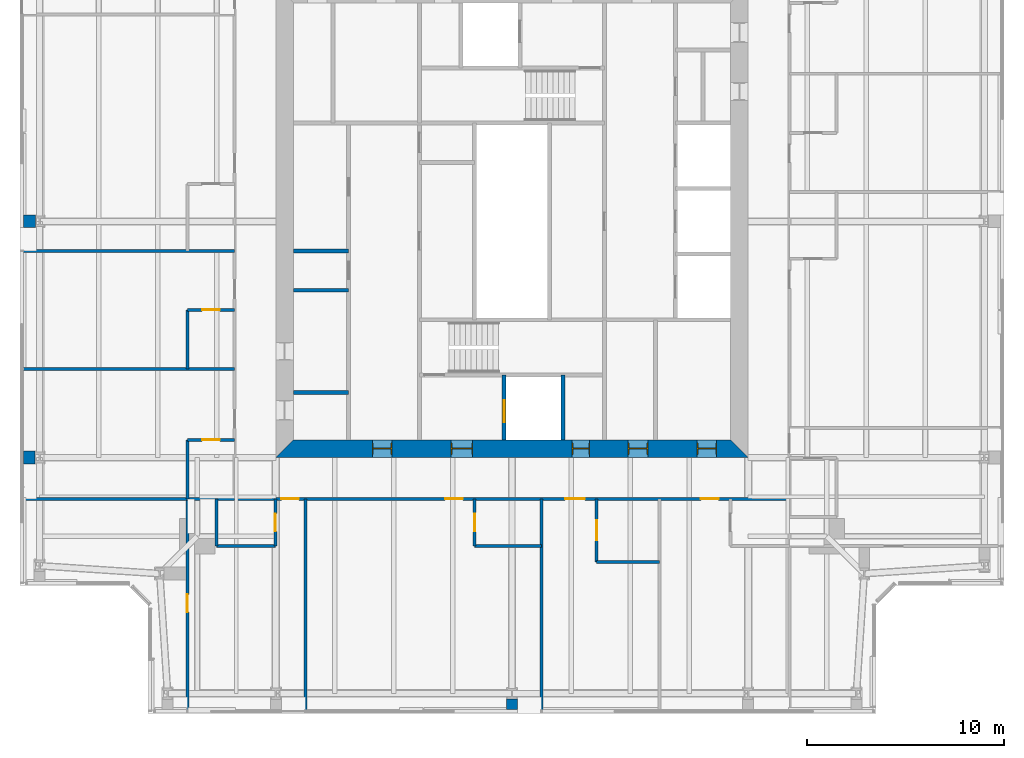
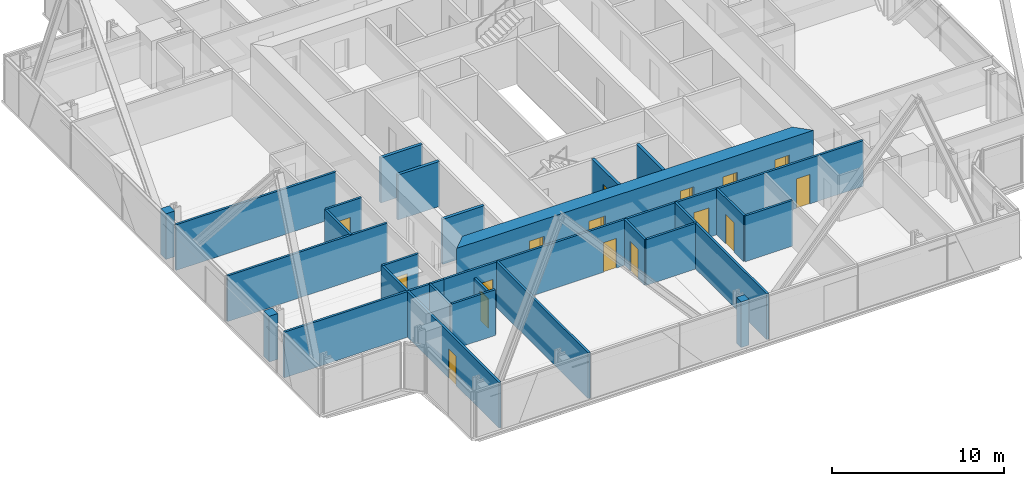
# One storey, part 11 of 20: 27 walls, 16 doors, 16 openings.
"""IFC4 building model written with IfcOpenShell, lengths in metres."""

from ifc_helpers import new_model, si_unit, direction, frame, frame_2d, origin, place, context, subcontext, project, spatial, polyline, rectangle, outline, extrude, material, layer, layer_set, type_object, element, fill, save


model = new_model("IFC4")

# Units and contexts
model_context = context("Model", 3, precision=1e-05, world=origin(), true_north=direction((0.0, 1.0)))
body_context = subcontext(model_context, "Body", "Model", "MODEL_VIEW")
ifc_project = project(units=[si_unit("LENGTHUNIT", "METRE"), si_unit("AREAUNIT", "SQUARE_METRE"), si_unit("VOLUMEUNIT", "CUBIC_METRE"), si_unit("PLANEANGLEUNIT", "RADIAN"), si_unit("MASSUNIT", "GRAM", prefix="KILO")], contexts=[model_context])

# Site, building, storey
site_placement = place(None, origin())
site = spatial("IfcSite", under=ifc_project, at=site_placement, CompositionType="ELEMENT")
building_placement = place(site_placement, origin())
building = spatial("IfcBuilding", under=site, at=building_placement, Name="Fenwick Lantern Interchange", CompositionType="ELEMENT")
storey_placement = place(building_placement, frame((0.0, 0.0, 256.0)))
storey = spatial("IfcBuildingStorey", under=building, at=storey_placement, Name="L60", CompositionType="ELEMENT", Elevation=256.0)

# Walls
ifc_material_1 = material(Name="Fire-rated gypsum board encasement on steel studs, 2 hour", Category="steel")
ifc_layer_1 = layer(ifc_material_1, 0.5419921875)
ifc_layer_set_1 = layer_set([ifc_layer_1], Name="COLUMN PIER 542")
wall_type_1 = type_object("IfcWallType", Name="COLUMN PIER 542", PredefinedType="PARTITIONING", material=ifc_layer_set_1)
wall_1_placement = place(storey_placement, frame((25.0, 0.18994140625, 0.0), z_axis=(0.0, 0.0, 1.0), x_axis=(0.0, 1.0, 0.0)))
element("IfcWall", 1, at=wall_1_placement, inside=storey, type_object=wall_type_1, Name="L60/W/PIER/CS3", PredefinedType="PARTITIONING", context=body_context, shape_type="SweptSolid", body=[
    extrude(rectangle(XDim=0.544677734375, YDim=0.5419921875, at=frame_2d((0.2724609375, 0.0))), origin(), (0.0, 0.0, 1.0), 3.25),
])
ifc_layer_2 = layer(ifc_material_1, 0.631103515625)
ifc_layer_set_2 = layer_set([ifc_layer_2], Name="COLUMN PIER 631")
wall_type_2 = type_object("IfcWallType", Name="COLUMN PIER 631", PredefinedType="PARTITIONING", material=ifc_layer_set_2)
wall_2_placement = place(storey_placement, frame((0.18994140625, 25.0, 0.0), z_axis=(0.0, 0.0, 1.0), x_axis=(1.0, 0.0, 0.0)))
element("IfcWall", 2, at=wall_2_placement, inside=storey, type_object=wall_type_2, Name="L60/W/PIER/CW3", PredefinedType="PARTITIONING", context=body_context, shape_type="SweptSolid", body=[
    extrude(rectangle(XDim=0.589111328125, YDim=0.631103515625, at=frame_2d((0.29443359375, 0.0))), origin(), (0.0, 0.0, 1.0), 3.25),
])
ifc_layer_3 = layer(ifc_material_1, 0.6689453125)
ifc_layer_set_3 = layer_set([ifc_layer_3], Name="COLUMN PIER 669")
wall_type_3 = type_object("IfcWallType", Name="COLUMN PIER 669", PredefinedType="PARTITIONING", material=ifc_layer_set_3)
wall_3_placement = place(storey_placement, frame((0.18994140625, 13.0, 0.0), z_axis=(0.0, 0.0, 1.0), x_axis=(1.0, 0.0, 0.0)))
element("IfcWall", 3, at=wall_3_placement, inside=storey, type_object=wall_type_3, Name="L60/W/PIER/CW4", PredefinedType="PARTITIONING", context=body_context, shape_type="SweptSolid", body=[
    extrude(rectangle(XDim=0.582763671875, YDim=0.6689453125, at=frame_2d((0.29150390625, 0.0))), origin(), (0.0, 0.0, 1.0), 3.25),
])

# Wall, opening, door
ifc_material_2 = material(Name="Concrete masonry ASTM C90 Grade N", Category="masonry")
ifc_layer_4 = layer(ifc_material_2, 0.199951171875)
ifc_layer_set_4 = layer_set([ifc_layer_4], Name="Concrete masonry ASTM C90 Grade N")
wall_type_4 = type_object("IfcWallType", Name="CORE PARTITION 200", PredefinedType="PARTITIONING", material=ifc_layer_set_4)
wall_4_placement = place(storey_placement, frame((24.60009765625, 13.89990234375, 0.0), z_axis=(0.0, 0.0, 1.0), x_axis=(0.0, 1.0, 0.0)))
wall_4 = element("IfcWall", 4, at=wall_4_placement, inside=storey, type_object=wall_type_4, Name="L60/W/CORES/h1", PredefinedType="PARTITIONING", context=body_context, shape_type="SweptSolid", body=[
    extrude(rectangle(XDim=3.300048828125, YDim=0.199951171875, at=frame_2d((1.64990234375, 0.0))), origin(), (0.0, 0.0, 1.0), 3.199951171875),
])
opening_1_placement = place(wall_4_placement, frame((0.89990234375, 0.0, 0.0)))
opening_1 = element("IfcOpeningElement", 5, at=opening_1_placement, cuts=wall_4, Name="Opening LD-FL1", PredefinedType="OPENING", context=body_context, shape_type="SweptSolid", body=[
    extrude(rectangle(XDim=1.10009765625, YDim=2.199951171875, at=frame_2d((0.550048828125, 1.10009765625))), frame((0.0, 0.10986328125, 0.0), z_axis=(0.0, -1.0, 0.0), x_axis=(1.0, 0.0, 0.0)), (0.0, 0.0, 1.0), 0.219970703125),
])
ifc_material_3 = material(Name="Steel door and frame", Category="steel")
door_type_1 = type_object("IfcDoorType", Name="LIFT LANDING DOOR 1100 X 2200", OperationType="DOUBLE_DOOR_SLIDING", PredefinedType="DOOR", material=ifc_material_3)
door_1_placement = place(opening_1_placement, origin())
door_1 = element("IfcDoor", 6, at=door_1_placement, inside=storey, type_object=door_type_1, Name="Lift landing door FL1", OperationType="DOUBLE_DOOR_SLIDING", OverallHeight=2.199951171875, OverallWidth=1.10009765625, PredefinedType="DOOR", context=body_context, shape_type="SweptSolid", body=[
    extrude(rectangle(XDim=1.10009765625, YDim=2.199951171875, at=frame_2d((0.550048828125, 1.10009765625))), frame((0.0, 0.02490234375, 0.0), z_axis=(0.0, -1.0, 0.0), x_axis=(1.0, 0.0, 0.0)), (0.0, 0.0, 1.0), 0.050048828125),
])
fill(opening_1, door_1)

# Walls
wall_5_placement = place(storey_placement, frame((27.60009765625, 13.89990234375, 0.0), z_axis=(0.0, 0.0, 1.0), x_axis=(0.0, 1.0, 0.0)))
element("IfcWall", 7, at=wall_5_placement, inside=storey, type_object=wall_type_4, Name="L60/W/CORES/h2", PredefinedType="PARTITIONING", context=body_context, shape_type="SweptSolid", body=[
    extrude(rectangle(XDim=3.300048828125, YDim=0.199951171875, at=frame_2d((1.64990234375, 0.0))), origin(), (0.0, 0.0, 1.0), 3.199951171875),
])
for number, where, z_axis, x_axis, name in (
    (8, (13.89990234375, 16.300048828125, 0.0), (0.0, 0.0, 1.0), (1.0, 0.0, 0.0), "L60/W/CORES/p1"),
    (9, (13.89990234375, 21.5, 0.0), (0.0, 0.0, 1.0), (1.0, 0.0, 0.0), "L60/W/CORES/p2"),
    (10, (13.89990234375, 23.5, 0.0), (0.0, 0.0, 1.0), (1.0, 0.0, 0.0), "L60/W/CORES/p3"),
):
    element("IfcWall", number, at=place(storey_placement, frame(where, z_axis=z_axis, x_axis=x_axis)), inside=storey, type_object=wall_type_4, Name=name, PredefinedType="PARTITIONING", context=body_context, shape_type="SweptSolid", body=[
        extrude(rectangle(XDim=2.800048828125, YDim=0.199951171875, at=frame_2d((1.39990234375, 0.0))), origin(), (0.0, 0.0, 1.0), 3.199951171875),
    ])

# Wall, openings, doors
ifc_material_4 = material(Name="Concrete f'c 70 MPa", Category="concrete")
ifc_layer_5 = layer(ifc_material_4, 0.89990234375)
ifc_layer_set_5 = layer_set([ifc_layer_5], Name="CORE WALL 900")
wall_type_5 = type_object("IfcWallType", Name="CORE WALL 900", PredefinedType="SHEAR", material=ifc_layer_set_5)
wall_6_placement = place(storey_placement, frame((13.0, 13.449951171875, 0.0), z_axis=(0.0, 0.0, 1.0), x_axis=(1.0, 0.0, 0.0)))
wall_6 = element("IfcWall", 11, at=wall_6_placement, inside=storey, type_object=wall_type_5, Name="L60/CORE/S", PredefinedType="SHEAR", context=body_context, shape_type="SweptSolid", body=[
    extrude(outline(polyline([(0.0, -0.449951171875), (24.0, -0.449951171875), (23.10009765625, 0.449951171875), (0.89990234375, 0.449951171875), (0.0, -0.449951171875)])), origin(), (0.0, 0.0, 1.0), 3.39990234375),
])
opening_2_placement = place(wall_6_placement, frame((4.89990234375, 0.0, 0.0)))
opening_2 = element("IfcOpeningElement", 12, at=opening_2_placement, cuts=wall_6, Name="Opening L60-D001", PredefinedType="OPENING", context=body_context, shape_type="SweptSolid", body=[
    extrude(rectangle(XDim=1.0, YDim=2.199951171875, at=frame_2d((0.5, 1.10009765625))), frame((0.0, 0.4599609375, 0.0), z_axis=(0.0, -1.0, 0.0), x_axis=(1.0, 0.0, 0.0)), (0.0, 0.0, 1.0), 0.919921875),
])
opening_3_placement = place(wall_6_placement, frame((8.89990234375, 0.0, 0.0)))
opening_3 = element("IfcOpeningElement", 13, at=opening_3_placement, cuts=wall_6, Name="Opening L60-D002", PredefinedType="OPENING", context=body_context, shape_type="SweptSolid", body=[
    extrude(rectangle(XDim=1.10009765625, YDim=2.199951171875, at=frame_2d((0.550048828125, 1.10009765625))), frame((0.0, 0.4599609375, 0.0), z_axis=(0.0, -1.0, 0.0), x_axis=(1.0, 0.0, 0.0)), (0.0, 0.0, 1.0), 0.919921875),
])
opening_4_placement = place(wall_6_placement, frame((15.050048828125, 0.0, 0.0)))
opening_4 = element("IfcOpeningElement", 14, at=opening_4_placement, cuts=wall_6, Name="Opening L60-D004", PredefinedType="OPENING", context=body_context, shape_type="SweptSolid", body=[
    extrude(rectangle(XDim=0.89990234375, YDim=2.199951171875, at=frame_2d((0.449951171875, 1.10009765625))), frame((0.0, 0.4599609375, 0.0), z_axis=(0.0, -1.0, 0.0), x_axis=(1.0, 0.0, 0.0)), (0.0, 0.0, 1.0), 0.919921875),
])
opening_5_placement = place(wall_6_placement, frame((17.89990234375, 0.0, 0.0)))
opening_5 = element("IfcOpeningElement", 15, at=opening_5_placement, cuts=wall_6, Name="Opening L60-D005", PredefinedType="OPENING", context=body_context, shape_type="SweptSolid", body=[
    extrude(rectangle(XDim=1.0, YDim=2.199951171875, at=frame_2d((0.5, 1.10009765625))), frame((0.0, 0.4599609375, 0.0), z_axis=(0.0, -1.0, 0.0), x_axis=(1.0, 0.0, 0.0)), (0.0, 0.0, 1.0), 0.919921875),
])
opening_6_placement = place(wall_6_placement, frame((21.39990234375, 0.0, 0.0)))
opening_6 = element("IfcOpeningElement", 16, at=opening_6_placement, cuts=wall_6, Name="Opening L60-D006", PredefinedType="OPENING", context=body_context, shape_type="SweptSolid", body=[
    extrude(rectangle(XDim=1.0, YDim=2.199951171875, at=frame_2d((0.5, 1.10009765625))), frame((0.0, 0.4599609375, 0.0), z_axis=(0.0, -1.0, 0.0), x_axis=(1.0, 0.0, 0.0)), (0.0, 0.0, 1.0), 0.919921875),
])
door_type_2 = type_object("IfcDoorType", Name="CORE LOBBY DOOR 1000 X 2200", OperationType="SINGLE_SWING_LEFT", PredefinedType="DOOR", material=ifc_material_3)
door_2_placement = place(opening_2_placement, origin())
door_2 = element("IfcDoor", 17, at=door_2_placement, inside=storey, type_object=door_type_2, Name="Core lobby door", OperationType="SINGLE_SWING_LEFT", OverallHeight=2.199951171875, OverallWidth=1.0, PredefinedType="DOOR", context=body_context, shape_type="SweptSolid", body=[
    extrude(rectangle(XDim=1.0, YDim=2.199951171875, at=frame_2d((0.5, 1.10009765625))), frame((0.0, 0.02490234375, 0.0), z_axis=(0.0, -1.0, 0.0), x_axis=(1.0, 0.0, 0.0)), (0.0, 0.0, 1.0), 0.050048828125),
    extrude(outline(polyline([(0.0, 0.0), (0.0400390625, 0.0), (0.0400390625, 2.159912109375), (0.9599609375, 2.159912109375), (0.9599609375, 0.0), (1.0, 0.0), (1.0, 2.199951171875), (0.0, 2.199951171875), (0.0, 0.0)])), frame((0.0, 0.300048828125, 0.0), z_axis=(0.0, -1.0, 0.0), x_axis=(1.0, 0.0, 0.0)), (0.0, 0.0, 1.0), 0.60009765625),
])
fill(opening_2, door_2)
door_type_3 = type_object("IfcDoorType", Name="FIRE LOBBY DOOR 1100 X 2200", OperationType="SINGLE_SWING_LEFT", PredefinedType="DOOR", material=ifc_material_3)
door_3_placement = place(opening_3_placement, origin())
door_3 = element("IfcDoor", 18, at=door_3_placement, inside=storey, type_object=door_type_3, Name="Fire lobby door", OperationType="SINGLE_SWING_LEFT", OverallHeight=2.199951171875, OverallWidth=1.10009765625, PredefinedType="DOOR", context=body_context, shape_type="SweptSolid", body=[
    extrude(rectangle(XDim=1.10009765625, YDim=2.199951171875, at=frame_2d((0.550048828125, 1.10009765625))), frame((0.0, 0.02490234375, 0.0), z_axis=(0.0, -1.0, 0.0), x_axis=(1.0, 0.0, 0.0)), (0.0, 0.0, 1.0), 0.050048828125),
    extrude(outline(polyline([(0.0, 0.0), (0.0400390625, 0.0), (0.0400390625, 2.159912109375), (1.06005859375, 2.159912109375), (1.06005859375, 0.0), (1.10009765625, 0.0), (1.10009765625, 2.199951171875), (0.0, 2.199951171875), (0.0, 0.0)])), frame((0.0, 0.300048828125, 0.0), z_axis=(0.0, -1.0, 0.0), x_axis=(1.0, 0.0, 0.0)), (0.0, 0.0, 1.0), 0.60009765625),
])
fill(opening_3, door_3)
door_type_4 = type_object("IfcDoorType", Name="SERVICE DOOR 900 X 2200", OperationType="SINGLE_SWING_LEFT", PredefinedType="DOOR", material=ifc_material_3)
door_4_placement = place(opening_4_placement, origin())
door_4 = element("IfcDoor", 19, at=door_4_placement, inside=storey, type_object=door_type_4, Name="Service door", OperationType="SINGLE_SWING_LEFT", OverallHeight=2.199951171875, OverallWidth=0.89990234375, PredefinedType="DOOR", context=body_context, shape_type="SweptSolid", body=[
    extrude(rectangle(XDim=0.89990234375, YDim=2.199951171875, at=frame_2d((0.449951171875, 1.10009765625))), frame((0.0, 0.02490234375, 0.0), z_axis=(0.0, -1.0, 0.0), x_axis=(1.0, 0.0, 0.0)), (0.0, 0.0, 1.0), 0.050048828125),
    extrude(outline(polyline([(0.0, 0.0), (0.0400390625, 0.0), (0.0400390625, 2.159912109375), (0.85986328125, 2.159912109375), (0.85986328125, 0.0), (0.89990234375, 0.0), (0.89990234375, 2.199951171875), (0.0, 2.199951171875), (0.0, 0.0)])), frame((0.0, 0.300048828125, 0.0), z_axis=(0.0, -1.0, 0.0), x_axis=(1.0, 0.0, 0.0)), (0.0, 0.0, 1.0), 0.60009765625),
])
fill(opening_4, door_4)
ifc_material_5 = material(Name="Hardwood door and steel frame", Category="steel")
door_type_5 = type_object("IfcDoorType", Name="WC DOOR 1000 X 2200", OperationType="SINGLE_SWING_LEFT", PredefinedType="DOOR", material=ifc_material_5)
door_5_placement = place(opening_5_placement, origin())
door_5 = element("IfcDoor", 20, at=door_5_placement, inside=storey, type_object=door_type_5, Name="Wc door", OperationType="SINGLE_SWING_RIGHT", OverallHeight=2.199951171875, OverallWidth=1.0, PredefinedType="DOOR", context=body_context, shape_type="SweptSolid", body=[
    extrude(rectangle(XDim=1.0, YDim=2.199951171875, at=frame_2d((0.5, 1.10009765625))), frame((0.0, 0.02490234375, 0.0), z_axis=(0.0, -1.0, 0.0), x_axis=(1.0, 0.0, 0.0)), (0.0, 0.0, 1.0), 0.050048828125),
    extrude(outline(polyline([(0.0, 0.0), (0.0400390625, 0.0), (0.0400390625, 2.159912109375), (0.9599609375, 2.159912109375), (0.9599609375, 0.0), (1.0, 0.0), (1.0, 2.199951171875), (0.0, 2.199951171875), (0.0, 0.0)])), frame((0.0, 0.300048828125, 0.0), z_axis=(0.0, -1.0, 0.0), x_axis=(1.0, 0.0, 0.0)), (0.0, 0.0, 1.0), 0.60009765625),
])
fill(opening_5, door_5)
door_6_placement = place(opening_6_placement, origin())
door_6 = element("IfcDoor", 21, at=door_6_placement, inside=storey, type_object=door_type_5, Name="Wc door", OperationType="SINGLE_SWING_RIGHT", OverallHeight=2.199951171875, OverallWidth=1.0, PredefinedType="DOOR", context=body_context, shape_type="SweptSolid", body=[
    extrude(rectangle(XDim=1.0, YDim=2.199951171875, at=frame_2d((0.5, 1.10009765625))), frame((0.0, 0.02490234375, 0.0), z_axis=(0.0, -1.0, 0.0), x_axis=(1.0, 0.0, 0.0)), (0.0, 0.0, 1.0), 0.050048828125),
    extrude(outline(polyline([(0.0, 0.0), (0.0400390625, 0.0), (0.0400390625, 2.159912109375), (0.9599609375, 2.159912109375), (0.9599609375, 0.0), (1.0, 0.0), (1.0, 2.199951171875), (0.0, 2.199951171875), (0.0, 0.0)])), frame((0.0, 0.300048828125, 0.0), z_axis=(0.0, -1.0, 0.0), x_axis=(1.0, 0.0, 0.0)), (0.0, 0.0, 1.0), 0.60009765625),
])
fill(opening_6, door_6)

ifc_material_6 = material(Name="Gypsum board on steel studs, 1 hour", Category="steel")
ifc_layer_6 = layer(ifc_material_6, 0.14990234375)
ifc_layer_set_6 = layer_set([ifc_layer_6], Name="CORRIDOR WALL 150")
wall_type_6 = type_object("IfcWallType", Name="CORRIDOR WALL 150", PredefinedType="PARTITIONING", material=ifc_layer_set_6)
wall_7_placement = place(storey_placement, frame((10.89990234375, 10.89990234375, 0.0), z_axis=(0.0, 0.0, 1.0), x_axis=(1.0, 0.0, 0.0)))
wall_7 = element("IfcWall", 22, at=wall_7_placement, inside=storey, type_object=wall_type_6, Name="L60/W/HOTEL/S/CW", PredefinedType="PARTITIONING", context=body_context, shape_type="SweptSolid", body=[
    extrude(rectangle(XDim=28.2001953125, YDim=0.14990234375, at=frame_2d((14.10009765625, 0.0))), origin(), (0.0, 0.0, 1.0), 3.25),
])
opening_7_placement = place(wall_7_placement, frame((2.375, 0.0, 0.0)))
opening_7 = element("IfcOpeningElement", 23, at=opening_7_placement, cuts=wall_7, Name="Opening L60-D025", PredefinedType="OPENING", context=body_context, shape_type="SweptSolid", body=[
    extrude(rectangle(XDim=0.89990234375, YDim=2.10009765625, at=frame_2d((0.449951171875, 1.050048828125))), frame((0.0, 0.0849609375, 0.0), z_axis=(0.0, -1.0, 0.0), x_axis=(1.0, 0.0, 0.0)), (0.0, 0.0, 1.0), 0.169921875),
])
opening_8_placement = place(wall_7_placement, frame((10.699951171875, 0.0, 0.0)))
opening_8 = element("IfcOpeningElement", 24, at=opening_8_placement, cuts=wall_7, Name="Opening L60-D027", PredefinedType="OPENING", context=body_context, shape_type="SweptSolid", body=[
    extrude(rectangle(XDim=0.89990234375, YDim=2.10009765625, at=frame_2d((0.449951171875, 1.050048828125))), frame((0.0, 0.0849609375, 0.0), z_axis=(0.0, -1.0, 0.0), x_axis=(1.0, 0.0, 0.0)), (0.0, 0.0, 1.0), 0.169921875),
])
opening_9_placement = place(wall_7_placement, frame((16.800048828125, 0.0, 0.0)))
opening_9 = element("IfcOpeningElement", 25, at=opening_9_placement, cuts=wall_7, Name="Opening L60-D029", PredefinedType="OPENING", context=body_context, shape_type="SweptSolid", body=[
    extrude(rectangle(XDim=1.0, YDim=2.10009765625, at=frame_2d((0.5, 1.050048828125))), frame((0.0, 0.0849609375, 0.0), z_axis=(0.0, -1.0, 0.0), x_axis=(1.0, 0.0, 0.0)), (0.0, 0.0, 1.0), 0.169921875),
])
opening_10_placement = place(wall_7_placement, frame((23.699951171875, 0.0, 0.0)))
opening_10 = element("IfcOpeningElement", 26, at=opening_10_placement, cuts=wall_7, Name="Opening L60-D031", PredefinedType="OPENING", context=body_context, shape_type="SweptSolid", body=[
    extrude(rectangle(XDim=0.89990234375, YDim=2.10009765625, at=frame_2d((0.449951171875, 1.050048828125))), frame((0.0, 0.0849609375, 0.0), z_axis=(0.0, -1.0, 0.0), x_axis=(1.0, 0.0, 0.0)), (0.0, 0.0, 1.0), 0.169921875),
])
door_type_6 = type_object("IfcDoorType", Name="GUEST ROOM DOOR 1000 X 2100", OperationType="SINGLE_SWING_LEFT", PredefinedType="DOOR", material=ifc_material_3)
door_7_placement = place(opening_9_placement, frame((1.0, 0.0, 0.0), z_axis=(0.0, 0.0, 1.0), x_axis=(-1.0, 0.0, 0.0)))
door_7 = element("IfcDoor", 27, at=door_7_placement, inside=storey, type_object=door_type_6, Name="Guest room door", OperationType="SINGLE_SWING_LEFT", OverallHeight=2.10009765625, OverallWidth=1.0, PredefinedType="DOOR", context=body_context, shape_type="SweptSolid", body=[
    extrude(rectangle(XDim=1.0, YDim=2.10009765625, at=frame_2d((0.5, 1.050048828125))), frame((0.0, 0.02490234375, 0.0), z_axis=(0.0, -1.0, 0.0), x_axis=(1.0, 0.0, 0.0)), (0.0, 0.0, 1.0), 0.050048828125),
])
fill(opening_9, door_7)
door_type_7 = type_object("IfcDoorType", Name="GUEST ROOM DOOR 900 X 2100", OperationType="SINGLE_SWING_LEFT", PredefinedType="DOOR", material=ifc_material_3)
door_8_placement = place(opening_7_placement, frame((0.89990234375, 0.0, 0.0), z_axis=(0.0, 0.0, 1.0), x_axis=(-1.0, 0.0, 0.0)))
door_8 = element("IfcDoor", 28, at=door_8_placement, inside=storey, type_object=door_type_7, Name="Guest room door", OperationType="SINGLE_SWING_RIGHT", OverallHeight=2.10009765625, OverallWidth=0.89990234375, PredefinedType="DOOR", context=body_context, shape_type="SweptSolid", body=[
    extrude(rectangle(XDim=0.89990234375, YDim=2.10009765625, at=frame_2d((0.449951171875, 1.050048828125))), frame((0.0, 0.02490234375, 0.0), z_axis=(0.0, -1.0, 0.0), x_axis=(1.0, 0.0, 0.0)), (0.0, 0.0, 1.0), 0.050048828125),
])
fill(opening_7, door_8)
door_9_placement = place(opening_8_placement, frame((0.89990234375, 0.0, 0.0), z_axis=(0.0, 0.0, 1.0), x_axis=(-1.0, 0.0, 0.0)))
door_9 = element("IfcDoor", 29, at=door_9_placement, inside=storey, type_object=door_type_7, Name="Guest room door", OperationType="SINGLE_SWING_LEFT", OverallHeight=2.10009765625, OverallWidth=0.89990234375, PredefinedType="DOOR", context=body_context, shape_type="SweptSolid", body=[
    extrude(rectangle(XDim=0.89990234375, YDim=2.10009765625, at=frame_2d((0.449951171875, 1.050048828125))), frame((0.0, 0.02490234375, 0.0), z_axis=(0.0, -1.0, 0.0), x_axis=(1.0, 0.0, 0.0)), (0.0, 0.0, 1.0), 0.050048828125),
])
fill(opening_8, door_9)
door_10_placement = place(opening_10_placement, frame((0.89990234375, 0.0, 0.0), z_axis=(0.0, 0.0, 1.0), x_axis=(-1.0, 0.0, 0.0)))
door_10 = element("IfcDoor", 30, at=door_10_placement, inside=storey, type_object=door_type_7, Name="Guest room door", OperationType="SINGLE_SWING_LEFT", OverallHeight=2.10009765625, OverallWidth=0.89990234375, PredefinedType="DOOR", context=body_context, shape_type="SweptSolid", body=[
    extrude(rectangle(XDim=0.89990234375, YDim=2.10009765625, at=frame_2d((0.449951171875, 1.050048828125))), frame((0.0, 0.02490234375, 0.0), z_axis=(0.0, -1.0, 0.0), x_axis=(1.0, 0.0, 0.0)), (0.0, 0.0, 1.0), 0.050048828125),
])
fill(opening_10, door_10)

# Wall
ifc_material_7 = material(Name="Gypsum board on steel studs, moisture resistant", Category="steel")
ifc_layer_7 = layer(ifc_material_7, 0.14990234375)
ifc_layer_set_7 = layer_set([ifc_layer_7], Name="EN-SUITE WALL 150")
wall_type_7 = type_object("IfcWallType", Name="EN-SUITE WALL 150", PredefinedType="PARTITIONING", material=ifc_layer_set_7)
wall_8_placement = place(storey_placement, frame((9.97509765625, 8.5, 0.0), z_axis=(0.0, 0.0, 1.0), x_axis=(1.0, 0.0, 0.0)))
element("IfcWall", 31, at=wall_8_placement, inside=storey, type_object=wall_type_7, Name="L60/W/HOTEL/S/U1BW", PredefinedType="PARTITIONING", context=body_context, shape_type="SweptSolid", body=[
    extrude(rectangle(XDim=3.0, YDim=0.14990234375, at=frame_2d((1.5, 0.0))), origin(), (0.0, 0.0, 1.0), 3.25),
])

# Wall, opening, door
wall_9_placement = place(storey_placement, frame((12.97509765625, 8.5, 0.0), z_axis=(0.0, 0.0, 1.0), x_axis=(0.0, 1.0, 0.0)))
wall_9 = element("IfcWall", 32, at=wall_9_placement, inside=storey, type_object=wall_type_7, Name="L60/W/HOTEL/S/U1BX", PredefinedType="PARTITIONING", context=body_context, shape_type="SweptSolid", body=[
    extrude(rectangle(XDim=2.39990234375, YDim=0.14990234375, at=frame_2d((1.199951171875, 0.0))), origin(), (0.0, 0.0, 1.0), 2.627685546875),
])
opening_11_placement = place(wall_9_placement, frame((0.75, 0.0, 0.0)))
opening_11 = element("IfcOpeningElement", 33, at=opening_11_placement, cuts=wall_9, Name="Opening L60-D023", PredefinedType="OPENING", context=body_context, shape_type="SweptSolid", body=[
    extrude(rectangle(XDim=0.89990234375, YDim=2.10009765625, at=frame_2d((0.449951171875, 1.050048828125))), frame((0.0, 0.0849609375, 0.0), z_axis=(0.0, -1.0, 0.0), x_axis=(1.0, 0.0, 0.0)), (0.0, 0.0, 1.0), 0.169921875),
])
door_type_8 = type_object("IfcDoorType", Name="EN-SUITE DOOR 900 X 2100", OperationType="SINGLE_SWING_LEFT", PredefinedType="DOOR", material=ifc_material_5)
door_11_placement = place(opening_11_placement, origin())
door_11 = element("IfcDoor", 34, at=door_11_placement, inside=storey, type_object=door_type_8, Name="En-suite door", OperationType="SINGLE_SWING_LEFT", OverallHeight=2.10009765625, OverallWidth=0.89990234375, PredefinedType="DOOR", context=body_context, shape_type="SweptSolid", body=[
    extrude(rectangle(XDim=0.89990234375, YDim=2.10009765625, at=frame_2d((0.449951171875, 1.050048828125))), frame((0.0, 0.02490234375, 0.0), z_axis=(0.0, -1.0, 0.0), x_axis=(1.0, 0.0, 0.0)), (0.0, 0.0, 1.0), 0.050048828125),
])
fill(opening_11, door_11)

# Walls
wall_10_placement = place(storey_placement, frame((9.97509765625, 8.5, 0.0), z_axis=(0.0, 0.0, 1.0), x_axis=(0.0, 1.0, 0.0)))
element("IfcWall", 35, at=wall_10_placement, inside=storey, type_object=wall_type_7, Name="L60/W/HOTEL/S/U1BV", PredefinedType="PARTITIONING", context=body_context, shape_type="SweptSolid", body=[
    extrude(rectangle(XDim=2.39990234375, YDim=0.14990234375, at=frame_2d((1.199951171875, 0.0))), origin(), (0.0, 0.0, 1.0), 3.25),
])
wall_11_placement = place(storey_placement, frame((23.10009765625, 8.5, 0.0), z_axis=(0.0, 0.0, 1.0), x_axis=(1.0, 0.0, 0.0)))
element("IfcWall", 36, at=wall_11_placement, inside=storey, type_object=wall_type_7, Name="L60/W/HOTEL/S/U2BW", PredefinedType="PARTITIONING", context=body_context, shape_type="SweptSolid", body=[
    extrude(rectangle(XDim=3.39990234375, YDim=0.14990234375, at=frame_2d((1.699951171875, 0.0))), origin(), (0.0, 0.0, 1.0), 3.25),
])

# Wall, opening, door
wall_12_placement = place(storey_placement, frame((23.10009765625, 8.5, 0.0), z_axis=(0.0, 0.0, 1.0), x_axis=(0.0, 1.0, 0.0)))
wall_12 = element("IfcWall", 37, at=wall_12_placement, inside=storey, type_object=wall_type_7, Name="L60/W/HOTEL/S/U2BX", PredefinedType="PARTITIONING", context=body_context, shape_type="SweptSolid", body=[
    extrude(rectangle(XDim=2.39990234375, YDim=0.14990234375, at=frame_2d((1.199951171875, 0.0))), origin(), (0.0, 0.0, 1.0), 3.25),
])
opening_12_placement = place(wall_12_placement, frame((0.75, 0.0, 0.0)))
opening_12 = element("IfcOpeningElement", 38, at=opening_12_placement, cuts=wall_12, Name="Opening L60-D026", PredefinedType="OPENING", context=body_context, shape_type="SweptSolid", body=[
    extrude(rectangle(XDim=0.89990234375, YDim=2.10009765625, at=frame_2d((0.449951171875, 1.050048828125))), frame((0.0, 0.0849609375, 0.0), z_axis=(0.0, -1.0, 0.0), x_axis=(1.0, 0.0, 0.0)), (0.0, 0.0, 1.0), 0.169921875),
])
door_12_placement = place(opening_12_placement, frame((0.89990234375, 0.0, 0.0), z_axis=(0.0, 0.0, 1.0), x_axis=(-1.0, 0.0, 0.0)))
door_12 = element("IfcDoor", 39, at=door_12_placement, inside=storey, type_object=door_type_8, Name="En-suite door", OperationType="SINGLE_SWING_RIGHT", OverallHeight=2.10009765625, OverallWidth=0.89990234375, PredefinedType="DOOR", context=body_context, shape_type="SweptSolid", body=[
    extrude(rectangle(XDim=0.89990234375, YDim=2.10009765625, at=frame_2d((0.449951171875, 1.050048828125))), frame((0.0, 0.02490234375, 0.0), z_axis=(0.0, -1.0, 0.0), x_axis=(1.0, 0.0, 0.0)), (0.0, 0.0, 1.0), 0.050048828125),
])
fill(opening_12, door_12)

# Wall
wall_13_placement = place(storey_placement, frame((29.300048828125, 7.699951171875, 0.0), z_axis=(0.0, 0.0, 1.0), x_axis=(1.0, 0.0, 0.0)))
element("IfcWall", 40, at=wall_13_placement, inside=storey, type_object=wall_type_7, Name="L60/W/HOTEL/S/U3BW", PredefinedType="PARTITIONING", context=body_context, shape_type="SweptSolid", body=[
    extrude(rectangle(XDim=3.199951171875, YDim=0.14990234375, at=frame_2d((1.60009765625, 0.0))), origin(), (0.0, 0.0, 1.0), 3.25),
])

# Wall, opening, door
wall_14_placement = place(storey_placement, frame((29.300048828125, 7.699951171875, 0.0), z_axis=(0.0, 0.0, 1.0), x_axis=(0.0, 1.0, 0.0)))
wall_14 = element("IfcWall", 41, at=wall_14_placement, inside=storey, type_object=wall_type_7, Name="L60/W/HOTEL/S/U3BX", PredefinedType="PARTITIONING", context=body_context, shape_type="SweptSolid", body=[
    extrude(rectangle(XDim=3.199951171875, YDim=0.14990234375, at=frame_2d((1.60009765625, 0.0))), origin(), (0.0, 0.0, 1.0), 3.25),
])
opening_13_placement = place(wall_14_placement, frame((1.10009765625, 0.0, 0.0)))
opening_13 = element("IfcOpeningElement", 42, at=opening_13_placement, cuts=wall_14, Name="Opening L60-D028", PredefinedType="OPENING", context=body_context, shape_type="SweptSolid", body=[
    extrude(rectangle(XDim=1.0, YDim=2.10009765625, at=frame_2d((0.5, 1.050048828125))), frame((0.0, 0.0849609375, 0.0), z_axis=(0.0, -1.0, 0.0), x_axis=(1.0, 0.0, 0.0)), (0.0, 0.0, 1.0), 0.169921875),
])
door_type_9 = type_object("IfcDoorType", Name="EN-SUITE DOOR 1000 X 2100", OperationType="SINGLE_SWING_LEFT", PredefinedType="DOOR", material=ifc_material_5)
door_13_placement = place(opening_13_placement, frame((1.0, 0.0, 0.0), z_axis=(0.0, 0.0, 1.0), x_axis=(-1.0, 0.0, 0.0)))
door_13 = element("IfcDoor", 43, at=door_13_placement, inside=storey, type_object=door_type_9, Name="En-suite door", OperationType="SINGLE_SWING_RIGHT", OverallHeight=2.10009765625, OverallWidth=1.0, PredefinedType="DOOR", context=body_context, shape_type="SweptSolid", body=[
    extrude(rectangle(XDim=1.0, YDim=2.10009765625, at=frame_2d((0.5, 1.050048828125))), frame((0.0, 0.02490234375, 0.0), z_axis=(0.0, -1.0, 0.0), x_axis=(1.0, 0.0, 0.0)), (0.0, 0.0, 1.0), 0.050048828125),
])
fill(opening_13, door_13)

# Wall
wall_15_placement = place(storey_placement, frame((8.5, 20.5, 0.0), z_axis=(0.0, 0.0, 1.0), x_axis=(0.0, -1.0, 0.0)))
element("IfcWall", 44, at=wall_15_placement, inside=storey, type_object=wall_type_7, Name="L60/W/HOTEL/W/U3BW", PredefinedType="PARTITIONING", context=body_context, shape_type="SweptSolid", body=[
    extrude(rectangle(XDim=3.0, YDim=0.14990234375, at=frame_2d((1.5, 0.0))), origin(), (0.0, 0.0, 1.0), 3.25),
])

# Wall, opening, door
wall_16_placement = place(storey_placement, frame((8.5, 20.5, 0.0), z_axis=(0.0, 0.0, 1.0), x_axis=(1.0, 0.0, 0.0)))
wall_16 = element("IfcWall", 45, at=wall_16_placement, inside=storey, type_object=wall_type_7, Name="L60/W/HOTEL/W/U3BX", PredefinedType="PARTITIONING", context=body_context, shape_type="SweptSolid", body=[
    extrude(rectangle(XDim=2.39990234375, YDim=0.14990234375, at=frame_2d((1.199951171875, 0.0))), origin(), (0.0, 0.0, 1.0), 3.25),
])
opening_14_placement = place(wall_16_placement, frame((0.75, 0.0, 0.0)))
opening_14 = element("IfcOpeningElement", 46, at=opening_14_placement, cuts=wall_16, Name="Opening L60-D055", PredefinedType="OPENING", context=body_context, shape_type="SweptSolid", body=[
    extrude(rectangle(XDim=0.89990234375, YDim=2.10009765625, at=frame_2d((0.449951171875, 1.050048828125))), frame((0.0, 0.0849609375, 0.0), z_axis=(0.0, -1.0, 0.0), x_axis=(1.0, 0.0, 0.0)), (0.0, 0.0, 1.0), 0.169921875),
])
door_14_placement = place(opening_14_placement, frame((0.89990234375, 0.0, 0.0), z_axis=(0.0, 0.0, 1.0), x_axis=(-1.0, 0.0, 0.0)))
door_14 = element("IfcDoor", 47, at=door_14_placement, inside=storey, type_object=door_type_8, Name="En-suite door", OperationType="SINGLE_SWING_RIGHT", OverallHeight=2.10009765625, OverallWidth=0.89990234375, PredefinedType="DOOR", context=body_context, shape_type="SweptSolid", body=[
    extrude(rectangle(XDim=0.89990234375, YDim=2.10009765625, at=frame_2d((0.449951171875, 1.050048828125))), frame((0.0, 0.02490234375, 0.0), z_axis=(0.0, -1.0, 0.0), x_axis=(1.0, 0.0, 0.0)), (0.0, 0.0, 1.0), 0.050048828125),
])
fill(opening_14, door_14)

# Wall
wall_17_placement = place(storey_placement, frame((8.5, 13.89990234375, 0.0), z_axis=(0.0, 0.0, 1.0), x_axis=(0.0, -1.0, 0.0)))
element("IfcWall", 48, at=wall_17_placement, inside=storey, type_object=wall_type_7, Name="L60/W/HOTEL/W/U4BW", PredefinedType="PARTITIONING", context=body_context, shape_type="SweptSolid", body=[
    extrude(rectangle(XDim=3.0, YDim=0.14990234375, at=frame_2d((1.5, 0.0))), origin(), (0.0, 0.0, 1.0), 3.25),
])

# Wall, opening, door
wall_18_placement = place(storey_placement, frame((8.5, 13.89990234375, 0.0), z_axis=(0.0, 0.0, 1.0), x_axis=(1.0, 0.0, 0.0)))
wall_18 = element("IfcWall", 49, at=wall_18_placement, inside=storey, type_object=wall_type_7, Name="L60/W/HOTEL/W/U4BX", PredefinedType="PARTITIONING", context=body_context, shape_type="SweptSolid", body=[
    extrude(rectangle(XDim=2.39990234375, YDim=0.14990234375, at=frame_2d((1.199951171875, 0.0))), origin(), (0.0, 0.0, 1.0), 3.25),
])
opening_15_placement = place(wall_18_placement, frame((0.75, 0.0, 0.0)))
opening_15 = element("IfcOpeningElement", 50, at=opening_15_placement, cuts=wall_18, Name="Opening L60-D057", PredefinedType="OPENING", context=body_context, shape_type="SweptSolid", body=[
    extrude(rectangle(XDim=0.89990234375, YDim=2.10009765625, at=frame_2d((0.449951171875, 1.050048828125))), frame((0.0, 0.0849609375, 0.0), z_axis=(0.0, -1.0, 0.0), x_axis=(1.0, 0.0, 0.0)), (0.0, 0.0, 1.0), 0.169921875),
])
door_15_placement = place(opening_15_placement, frame((0.89990234375, 0.0, 0.0), z_axis=(0.0, 0.0, 1.0), x_axis=(-1.0, 0.0, 0.0)))
door_15 = element("IfcDoor", 51, at=door_15_placement, inside=storey, type_object=door_type_8, Name="En-suite door", OperationType="SINGLE_SWING_RIGHT", OverallHeight=2.10009765625, OverallWidth=0.89990234375, PredefinedType="DOOR", context=body_context, shape_type="SweptSolid", body=[
    extrude(rectangle(XDim=0.89990234375, YDim=2.10009765625, at=frame_2d((0.449951171875, 1.050048828125))), frame((0.0, 0.02490234375, 0.0), z_axis=(0.0, -1.0, 0.0), x_axis=(1.0, 0.0, 0.0)), (0.0, 0.0, 1.0), 0.050048828125),
])
fill(opening_15, door_15)

# Walls
ifc_material_8 = material(Name="Gypsum board on steel studs, 1 hour acoustic", Category="steel")
ifc_layer_8 = layer(ifc_material_8, 0.14990234375)
ifc_layer_set_8 = layer_set([ifc_layer_8], Name="PARTY WALL 150")
wall_type_8 = type_object("IfcWallType", Name="PARTY WALL 150", PredefinedType="PARTITIONING", material=ifc_layer_set_8)
for number, where, z_axis, x_axis, name in (
    (52, (0.14990234375, 10.89990234375, 0.0), (0.0, 0.0, 1.0), (1.0, 0.0, 0.0), "L60/W/HOTEL/S/SW3"),
    (53, (14.5, 0.14990234375, 0.0), (0.0, 0.0, 1.0), (0.0, 1.0, 0.0), "L60/W/HOTEL/S/U2PW"),
    (54, (26.5, 0.14990234375, 0.0), (0.0, 0.0, 1.0), (0.0, 1.0, 0.0), "L60/W/HOTEL/S/U3PW"),
    (55, (0.14990234375, 23.5, 0.0), (0.0, 0.0, 1.0), (1.0, 0.0, 0.0), "L60/W/HOTEL/W/U3PW"),
    (56, (0.14990234375, 17.5, 0.0), (0.0, 0.0, 1.0), (1.0, 0.0, 0.0), "L60/W/HOTEL/W/U4PW"),
):
    element("IfcWall", number, at=place(storey_placement, frame(where, z_axis=z_axis, x_axis=x_axis)), inside=storey, type_object=wall_type_8, Name=name, PredefinedType="PARTITIONING", context=body_context, shape_type="SweptSolid", body=[
        extrude(rectangle(XDim=10.75, YDim=0.14990234375, at=frame_2d((5.375, 0.0))), origin(), (0.0, 0.0, 1.0), 3.25),
    ])

# Wall, opening, door
ifc_material_9 = material(Name="Gypsum board on steel studs, acoustic", Category="steel")
ifc_layer_9 = layer(ifc_material_9, 0.14990234375)
ifc_layer_set_9 = layer_set([ifc_layer_9], Name="SUITE PARTITION 150")
wall_type_9 = type_object("IfcWallType", Name="SUITE PARTITION 150", PredefinedType="PARTITIONING", material=ifc_layer_set_9)
wall_19_placement = place(storey_placement, frame((8.5, 0.14990234375, 0.0), z_axis=(0.0, 0.0, 1.0), x_axis=(0.0, 1.0, 0.0)))
wall_19 = element("IfcWall", 57, at=wall_19_placement, inside=storey, type_object=wall_type_9, Name="L60/W/HOTEL/S/U1P", PredefinedType="PARTITIONING", context=body_context, shape_type="SweptSolid", body=[
    extrude(rectangle(XDim=10.75, YDim=0.14990234375, at=frame_2d((5.375, 0.0))), origin(), (0.0, 0.0, 1.0), 3.25),
])
opening_16_placement = place(wall_19_placement, frame((5.0, 0.0, 0.0)))
opening_16 = element("IfcOpeningElement", 58, at=opening_16_placement, cuts=wall_19, Name="Opening L60-D024", PredefinedType="OPENING", context=body_context, shape_type="SweptSolid", body=[
    extrude(rectangle(XDim=0.89990234375, YDim=2.10009765625, at=frame_2d((0.449951171875, 1.050048828125))), frame((0.0, 0.0849609375, 0.0), z_axis=(0.0, -1.0, 0.0), x_axis=(1.0, 0.0, 0.0)), (0.0, 0.0, 1.0), 0.169921875),
])
door_type_10 = type_object("IfcDoorType", Name="SUITE INTERNAL DOOR 900 X 2100", OperationType="SINGLE_SWING_LEFT", PredefinedType="DOOR", material=ifc_material_5)
door_16_placement = place(opening_16_placement, origin())
door_16 = element("IfcDoor", 59, at=door_16_placement, inside=storey, type_object=door_type_10, Name="Suite internal door", OperationType="SINGLE_SWING_RIGHT", OverallHeight=2.10009765625, OverallWidth=0.89990234375, PredefinedType="DOOR", context=body_context, shape_type="SweptSolid", body=[
    extrude(rectangle(XDim=0.89990234375, YDim=2.10009765625, at=frame_2d((0.449951171875, 1.050048828125))), frame((0.0, 0.02490234375, 0.0), z_axis=(0.0, -1.0, 0.0), x_axis=(1.0, 0.0, 0.0)), (0.0, 0.0, 1.0), 0.050048828125),
])
fill(opening_16, door_16)

save(model, "model.ifc")
